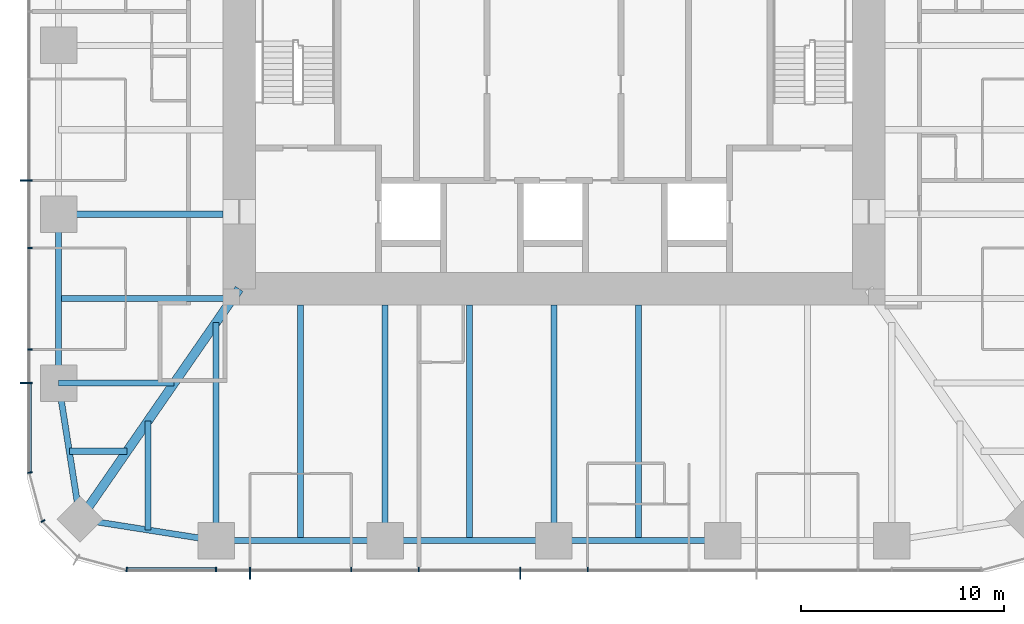
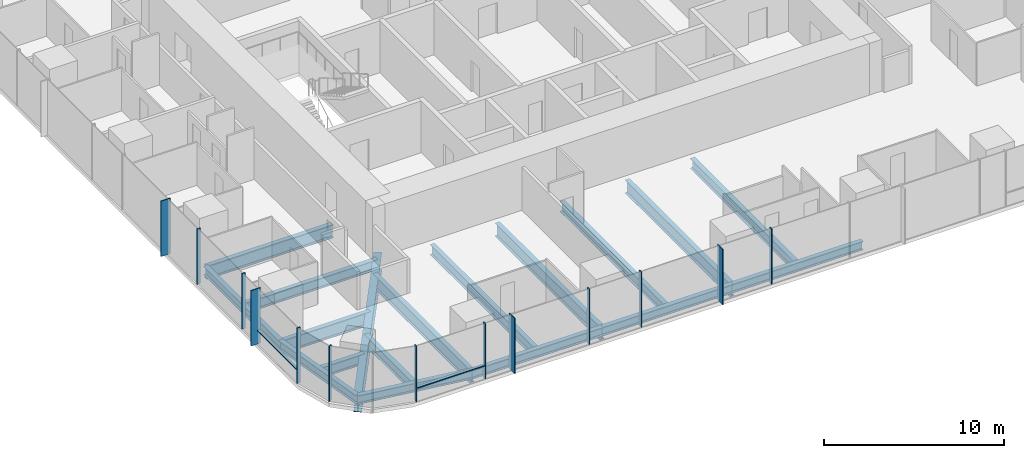
# One storey, part 2 of 12: 18 beams, 15 members, 3 elements without a shape of their own.
"""IFC4 building model written with IfcOpenShell, lengths in metres."""

from ifc_helpers import new_model, si_unit, direction, frame, origin, origin_2d, place, context, subcontext, project, spatial, rectangle, i_section, extrude, material, material_profile, profile_set, type_object, element, aggregate, save


model = new_model("IFC4")

# Units and contexts
model_context = context("Model", 3, precision=1e-05, world=origin(), true_north=direction((0.0, 1.0)))
body_context = subcontext(model_context, "Body", "Model", "MODEL_VIEW")
ifc_project = project(units=[si_unit("LENGTHUNIT", "METRE"), si_unit("AREAUNIT", "SQUARE_METRE"), si_unit("VOLUMEUNIT", "CUBIC_METRE"), si_unit("PLANEANGLEUNIT", "RADIAN"), si_unit("MASSUNIT", "GRAM", prefix="KILO")], contexts=[model_context])

# Site, building, storey
site_placement = place(None, origin())
site = spatial("IfcSite", under=ifc_project, at=site_placement, CompositionType="ELEMENT")
building_placement = place(site_placement, origin())
building = spatial("IfcBuilding", under=site, at=building_placement, Name="Khuree Lantern Residences", CompositionType="ELEMENT")
storey_placement = place(building_placement, frame((0.0, 0.0, 244.5)))
storey = spatial("IfcBuildingStorey", under=building, at=storey_placement, Name="L61", CompositionType="ELEMENT", Elevation=244.5)

# Beams
ifc_material_1 = material(Name="Steel S355", Category="steel")
ifc_material_profile_1 = material_profile(ifc_material_1, i_section(OverallWidth=0.300048828125, OverallDepth=0.68994140625, WebThickness=0.014404296875, FlangeThickness=0.027099609375, FilletRadius=0.027099609375, at=origin_2d()), Name="HE 700 A")
ifc_profile_set_1 = profile_set([ifc_material_profile_1], Name="Steel S355")
beam_type_1 = type_object("IfcBeamType", Name="B-34 SECONDARY BEAM HE 700 A", PredefinedType="BEAM", material=ifc_profile_set_1)
for number, where, z_axis, x_axis, name in (
    (1, (4.159912109375, -24.39990234375, -0.594970703125), (0.0, 1.0, 0.0), (-1.0, 0.0, 0.0), "Secondary beam S3"),
    (2, (-4.159912109375, -24.39990234375, -0.594970703125), (0.0, 1.0, 0.0), (-1.0, 0.0, 0.0), "Secondary beam S4"),
    (3, (-12.47998046875, -24.39990234375, -0.594970703125), (0.0, 1.0, 0.0), (-1.0, 0.0, 0.0), "Secondary beam S5"),
):
    element("IfcBeam", number, at=place(storey_placement, frame(where, z_axis=z_axis, x_axis=x_axis)), inside=storey, type_object=beam_type_1, Name=name, PredefinedType="BEAM", context=body_context, shape_type="SweptSolid", body=[
        extrude(i_section(OverallWidth=0.300048828125, OverallDepth=0.68994140625, WebThickness=0.014404296875, FlangeThickness=0.027099609375, FilletRadius=0.027099609375, at=origin_2d()), origin(), (0.0, 0.0, 1.0), 11.599853515625),
    ])
beam_1_placement = place(storey_placement, frame((-19.992919921875, -23.872802734375, -0.594970703125), z_axis=(0.0, 1.0, 0.0), x_axis=(-1.0, 0.0, 0.0)))
element("IfcBeam", 4, at=beam_1_placement, inside=storey, type_object=beam_type_1, Name="Secondary beam S6", PredefinedType="BEAM", context=body_context, shape_type="SweptSolid", body=[
    extrude(i_section(OverallWidth=0.300048828125, OverallDepth=0.68994140625, WebThickness=0.014404296875, FlangeThickness=0.027099609375, FilletRadius=0.027099609375, at=origin_2d()), origin(), (0.0, 0.0, 1.0), 5.375732421875),
])
beam_2_placement = place(storey_placement, frame((-23.872802734375, -19.992919921875, -0.594970703125), z_axis=(1.0, 0.0, 0.0), x_axis=(0.0, 1.0, 0.0)))
element("IfcBeam", 5, at=beam_2_placement, inside=storey, type_object=beam_type_1, Name="Secondary beam W1", PredefinedType="BEAM", context=body_context, shape_type="SweptSolid", body=[
    extrude(i_section(OverallWidth=0.300048828125, OverallDepth=0.68994140625, WebThickness=0.014404296875, FlangeThickness=0.027099609375, FilletRadius=0.027099609375, at=origin_2d()), origin(), (0.0, 0.0, 1.0), 2.845703125),
])
beam_3_placement = place(storey_placement, frame((-24.39990234375, -12.47998046875, -0.594970703125), z_axis=(1.0, 0.0, 0.0), x_axis=(0.0, 1.0, 0.0)))
element("IfcBeam", 6, at=beam_3_placement, inside=storey, type_object=beam_type_1, Name="Secondary beam W2", PredefinedType="BEAM", context=body_context, shape_type="SweptSolid", body=[
    extrude(i_section(OverallWidth=0.300048828125, OverallDepth=0.68994140625, WebThickness=0.014404296875, FlangeThickness=0.027099609375, FilletRadius=0.027099609375, at=origin_2d()), origin(), (0.0, 0.0, 1.0), 8.56787109375),
])
ifc_material_profile_2 = material_profile(ifc_material_1, i_section(OverallWidth=0.300048828125, OverallDepth=0.590087890625, WebThickness=0.012939453125, FlangeThickness=0.02490234375, FilletRadius=0.027099609375, at=origin_2d()), Name="HE 600 A")
ifc_profile_set_2 = profile_set([ifc_material_profile_2], Name="Steel S355")
beam_type_2 = type_object("IfcBeamType", Name="E-34 SPANDREL BEAM HE 600 A", PredefinedType="SPANDREL", material=ifc_profile_set_2)
for number, where, z_axis, x_axis, name in (
    (7, (8.320068359375, -24.39990234375, -0.544921875), (-1.0, 0.0, 0.0), (0.0, -1.0, 0.0), "Spandrel beam S3"),
    (8, (0.0, -24.39990234375, -0.544921875), (-1.0, 0.0, 0.0), (0.0, -1.0, 0.0), "Spandrel beam S4"),
):
    element("IfcBeam", number, at=place(storey_placement, frame(where, z_axis=z_axis, x_axis=x_axis)), inside=storey, type_object=beam_type_2, Name=name, PredefinedType="SPANDREL", context=body_context, shape_type="SweptSolid", body=[
        extrude(i_section(OverallWidth=0.300048828125, OverallDepth=0.590087890625, WebThickness=0.012939453125, FlangeThickness=0.02490234375, FilletRadius=0.027099609375, at=origin_2d()), origin(), (0.0, 0.0, 1.0), 8.320068359375),
    ])
beam_4_placement = place(storey_placement, frame((-8.320068359375, -24.39990234375, -0.544921875), z_axis=(-1.0, 0.0, 0.0), x_axis=(0.0, -1.0, 0.0)))
element("IfcBeam", 9, at=beam_4_placement, inside=storey, type_object=beam_type_2, Name="Spandrel beam S5", PredefinedType="SPANDREL", context=body_context, shape_type="SweptSolid", body=[
    extrude(i_section(OverallWidth=0.300048828125, OverallDepth=0.590087890625, WebThickness=0.012939453125, FlangeThickness=0.02490234375, FilletRadius=0.027099609375, at=origin_2d()), origin(), (0.0, 0.0, 1.0), 8.31982421875),
])
for number, where, z_axis, x_axis, name in (
    (10, (-16.639892578125, -24.39990234375, -0.544921875), (-0.98786743189, 0.155299507442, 0.0), (-0.155299507442, -0.98786743189, 0.0), "Spandrel beam S6"),
    (11, (-23.345703125, -23.345703125, -0.544921875), (-0.155299507442, 0.98786743189, 0.0), (-0.98786743189, -0.155299507442, 0.0), "Spandrel beam W1"),
):
    element("IfcBeam", number, at=place(storey_placement, frame(where, z_axis=z_axis, x_axis=x_axis)), inside=storey, type_object=beam_type_2, Name=name, PredefinedType="SPANDREL", context=body_context, shape_type="SweptSolid", body=[
        extrude(i_section(OverallWidth=0.300048828125, OverallDepth=0.590087890625, WebThickness=0.012939453125, FlangeThickness=0.02490234375, FilletRadius=0.027099609375, at=origin_2d()), origin(), (0.0, 0.0, 1.0), 6.7880859375),
    ])
beam_5_placement = place(storey_placement, frame((-24.39990234375, -16.639892578125, -0.544921875), z_axis=(0.0, 1.0, 0.0), x_axis=(-1.0, 0.0, 0.0)))
element("IfcBeam", 12, at=beam_5_placement, inside=storey, type_object=beam_type_2, Name="Spandrel beam W2", PredefinedType="SPANDREL", context=body_context, shape_type="SweptSolid", body=[
    extrude(i_section(OverallWidth=0.300048828125, OverallDepth=0.590087890625, WebThickness=0.012939453125, FlangeThickness=0.02490234375, FilletRadius=0.027099609375, at=origin_2d()), origin(), (0.0, 0.0, 1.0), 8.31982421875),
])

# Curtain wall, members
ifc_material_2 = material(Name="Bronze anodised aluminium", Category="aluminium")
curtain_wall_type_1 = type_object("IfcCurtainWallType", Name="CW-T1 TOWER FACE CURTAIN WALL", PredefinedType="USERDEFINED", material=ifc_material_2)
curtain_wall_1_placement = place(storey_placement, origin())
curtain_wall_1 = element("IfcCurtainWall", 13, at=curtain_wall_1_placement, inside=storey, type_object=curtain_wall_type_1, Name="L61 WEST FACE CURTAIN WALL", ObjectType="Stick-built curtain wall", PredefinedType="USERDEFINED")
ifc_material_profile_3 = material_profile(ifc_material_2, rectangle(XDim=0.06494140625, YDim=0.60009765625, at=origin_2d()), Name="F1 65X600")
ifc_profile_set_3 = profile_set([ifc_material_profile_3], Name="Bronze anodised aluminium")
member_type_1 = type_object("IfcMemberType", Name="F1 BRONZE FIN MULLION TOWER 65X600", PredefinedType="MULLION", material=ifc_profile_set_3)
member_1_placement = place(storey_placement, frame((-26.0, -6.656005859375, 0.0), z_axis=(0.0, 0.0, 1.0), x_axis=(0.0, -1.0, 0.0)))
member_1 = element("IfcMember", 14, at=member_1_placement, type_object=member_type_1, Name="L61 WEST FACE FIN MULLION 39", PredefinedType="MULLION", context=body_context, shape_type="SweptSolid", body=[
    extrude(rectangle(XDim=0.06494140625, YDim=0.60009765625, at=origin_2d()), origin(), (0.0, 0.0, 1.0), 3.75),
])
member_2_placement = place(storey_placement, frame((-26.0, -16.639892578125, 0.0), z_axis=(0.0, 0.0, 1.0), x_axis=(0.0, -1.0, 0.0)))
member_2 = element("IfcMember", 15, at=member_2_placement, type_object=member_type_1, Name="L61 WEST FACE FIN MULLION 42", PredefinedType="MULLION", context=body_context, shape_type="SweptSolid", body=[
    extrude(rectangle(XDim=0.06494140625, YDim=0.60009765625, at=origin_2d()), origin(), (0.0, 0.0, 1.0), 3.75),
])

curtain_wall_2_placement = place(storey_placement, origin())
curtain_wall_2 = element("IfcCurtainWall", 16, at=curtain_wall_2_placement, inside=storey, type_object=curtain_wall_type_1, Name="L61 SOUTH FACE CURTAIN WALL", ObjectType="Stick-built curtain wall", PredefinedType="USERDEFINED")
member_3_placement = place(storey_placement, frame((-14.97607421875, -26.0, 0.0), z_axis=(0.0, 0.0, 1.0), x_axis=(1.0, 0.0, 0.0)))
member_3 = element("IfcMember", 17, at=member_3_placement, type_object=member_type_1, Name="L61 SOUTH FACE FIN MULLION 48", PredefinedType="MULLION", context=body_context, shape_type="SweptSolid", body=[
    extrude(rectangle(XDim=0.06494140625, YDim=0.60009765625, at=origin_2d()), origin(), (0.0, 0.0, 1.0), 3.75),
])
member_4_placement = place(storey_placement, frame((-1.6640625, -26.0, 0.0), z_axis=(0.0, 0.0, 1.0), x_axis=(1.0, 0.0, 0.0)))
member_4 = element("IfcMember", 18, at=member_4_placement, type_object=member_type_1, Name="L61 SOUTH FACE FIN MULLION 51", PredefinedType="MULLION", context=body_context, shape_type="SweptSolid", body=[
    extrude(rectangle(XDim=0.06494140625, YDim=0.60009765625, at=origin_2d()), origin(), (0.0, 0.0, 1.0), 3.75),
])

# Beams
ifc_material_profile_4 = material_profile(ifc_material_1, i_section(OverallWidth=0.300048828125, OverallDepth=0.89990234375, WebThickness=0.0185546875, FlangeThickness=0.034912109375, FilletRadius=0.030029296875, at=origin_2d()), Name="HE 900 B")
ifc_profile_set_4 = profile_set([ifc_material_profile_4], Name="Steel S355")
beam_type_3 = type_object("IfcBeamType", Name="G-34 GIRDER HE 900 B", PredefinedType="BEAM", material=ifc_profile_set_4)
for number, where, z_axis, x_axis, name in (
    (19, (0.0, -24.39990234375, -0.699951171875), (0.0, 1.0, 0.0), (-1.0, 0.0, 0.0), "Girder S3"),
    (20, (-8.320068359375, -24.39990234375, -0.699951171875), (0.0, 1.0, 0.0), (-1.0, 0.0, 0.0), "Girder S4"),
):
    element("IfcBeam", number, at=place(storey_placement, frame(where, z_axis=z_axis, x_axis=x_axis)), inside=storey, type_object=beam_type_3, Name=name, PredefinedType="BEAM", context=body_context, shape_type="SweptSolid", body=[
        extrude(i_section(OverallWidth=0.300048828125, OverallDepth=0.89990234375, WebThickness=0.0185546875, FlangeThickness=0.034912109375, FilletRadius=0.030029296875, at=origin_2d()), origin(), (0.0, 0.0, 1.0), 11.599853515625),
    ])
beam_6_placement = place(storey_placement, frame((-16.639892578125, -24.39990234375, -0.699951171875), z_axis=(0.0, 1.0, 0.0), x_axis=(-1.0, 0.0, 0.0)))
element("IfcBeam", 21, at=beam_6_placement, inside=storey, type_object=beam_type_3, Name="Girder S5", PredefinedType="BEAM", context=body_context, shape_type="SweptSolid", body=[
    extrude(i_section(OverallWidth=0.300048828125, OverallDepth=0.89990234375, WebThickness=0.0185546875, FlangeThickness=0.034912109375, FilletRadius=0.030029296875, at=origin_2d()), origin(), (0.0, 0.0, 1.0), 10.751220703125),
])
beam_7_placement = place(storey_placement, frame((-24.39990234375, -16.639892578125, -0.699951171875), z_axis=(1.0, 0.0, 0.0), x_axis=(0.0, 1.0, 0.0)))
element("IfcBeam", 22, at=beam_7_placement, inside=storey, type_object=beam_type_3, Name="Girder W1", PredefinedType="BEAM", context=body_context, shape_type="SweptSolid", body=[
    extrude(i_section(OverallWidth=0.300048828125, OverallDepth=0.89990234375, WebThickness=0.0185546875, FlangeThickness=0.034912109375, FilletRadius=0.030029296875, at=origin_2d()), origin(), (0.0, 0.0, 1.0), 5.69140625),
])
beam_8_placement = place(storey_placement, frame((-24.39990234375, -8.320068359375, -0.699951171875), z_axis=(1.0, 0.0, 0.0), x_axis=(0.0, 1.0, 0.0)))
element("IfcBeam", 23, at=beam_8_placement, inside=storey, type_object=beam_type_3, Name="Girder W2", PredefinedType="BEAM", context=body_context, shape_type="SweptSolid", body=[
    extrude(i_section(OverallWidth=0.300048828125, OverallDepth=0.89990234375, WebThickness=0.0185546875, FlangeThickness=0.034912109375, FilletRadius=0.030029296875, at=origin_2d()), origin(), (0.0, 0.0, 1.0), 8.099853515625),
])
ifc_material_profile_5 = material_profile(ifc_material_1, i_section(OverallWidth=0.449951171875, OverallDepth=1.199951171875, WebThickness=0.02490234375, FlangeThickness=0.044921875, at=origin_2d()), Name="WELDED I 1200X450X25X45")
ifc_profile_set_5 = profile_set([ifc_material_profile_5], Name="Steel S355")
beam_type_4 = type_object("IfcBeamType", Name="GD-34 CORNER GIRDER WELDED I 1200X450X25X45", PredefinedType="BEAM", material=ifc_profile_set_5)
beam_9_placement = place(storey_placement, frame((-23.345703125, -23.345703125, -0.85009765625), z_axis=(0.56876813501, 0.822497907959, 0.0), x_axis=(-0.822497907959, 0.56876813501, 0.0)))
element("IfcBeam", 24, at=beam_9_placement, inside=storey, type_object=beam_type_4, Name="Corner girder SW", PredefinedType="BEAM", context=body_context, shape_type="SweptSolid", body=[
    extrude(i_section(OverallWidth=0.449951171875, OverallDepth=1.199951171875, WebThickness=0.02490234375, FlangeThickness=0.044921875, at=origin_2d()), origin(), (0.0, 0.0, 1.0), 13.794189453125),
])

# Member
ifc_material_profile_6 = material_profile(ifc_material_2, rectangle(XDim=0.06494140625, YDim=0.219970703125, at=origin_2d()), Name="M1 65X220")
ifc_profile_set_6 = profile_set([ifc_material_profile_6], Name="Bronze anodised aluminium")
member_type_2 = type_object("IfcMemberType", Name="M1 BRONZE MULLION TOWER 65X220", PredefinedType="MULLION", material=ifc_profile_set_6)
member_5_placement = place(storey_placement, frame((-25.81005859375, -9.98388671875, 0.0), z_axis=(0.0, 0.0, 1.0), x_axis=(0.0, -1.0, 0.0)))
member_5 = element("IfcMember", 25, at=member_5_placement, type_object=member_type_2, Name="L61 WEST FACE MULLION 40", PredefinedType="MULLION", context=body_context, shape_type="SweptSolid", body=[
    extrude(rectangle(XDim=0.06494140625, YDim=0.219970703125, at=origin_2d()), origin(), (0.0, 0.0, 1.0), 3.75),
])

member_6_placement = place(storey_placement, frame((-25.81005859375, -14.97607421875, 0.0), z_axis=(0.0, 0.0, 1.0), x_axis=(0.0, -1.0, 0.0)))
member_6 = element("IfcMember", 26, at=member_6_placement, type_object=member_type_2, Name="L61 WEST FACE MULLION 41", PredefinedType="MULLION", context=body_context, shape_type="SweptSolid", body=[
    extrude(rectangle(XDim=0.06494140625, YDim=0.219970703125, at=origin_2d()), origin(), (0.0, 0.0, 1.0), 3.75),
])

# Curtain wall, members
curtain_wall_type_2 = type_object("IfcCurtainWallType", Name="CW-T2 TOWER CORNER CURTAIN WALL", PredefinedType="USERDEFINED", material=ifc_material_2)
curtain_wall_3_placement = place(storey_placement, origin())
curtain_wall_3 = element("IfcCurtainWall", 27, at=curtain_wall_3_placement, inside=storey, type_object=curtain_wall_type_2, Name="L61 SOUTH-WEST CORNER CURTAIN WALL", ObjectType="Faceted corner curtain wall", PredefinedType="USERDEFINED")
member_7_placement = place(storey_placement, frame((-25.811767578125, -21.044921875, 0.0), z_axis=(0.0, 0.0, 1.0), x_axis=(0.130526180298, -0.991444862943, 0.0)))
member_7 = element("IfcMember", 28, at=member_7_placement, type_object=member_type_2, Name="L61 SOUTH-WEST CORNER MULLION 43", PredefinedType="MULLION", context=body_context, shape_type="SweptSolid", body=[
    extrude(rectangle(XDim=0.06494140625, YDim=0.219970703125, at=origin_2d()), origin(), (0.0, 0.0, 1.0), 3.75),
])
member_8_placement = place(storey_placement, frame((-25.17236328125, -23.429931640625, 0.0), z_axis=(0.0, 0.0, 1.0), x_axis=(0.499999989586, -0.866025409797, 0.0)))
member_8 = element("IfcMember", 29, at=member_8_placement, type_object=member_type_2, Name="L61 SOUTH-WEST CORNER MULLION 44", PredefinedType="MULLION", context=body_context, shape_type="SweptSolid", body=[
    extrude(rectangle(XDim=0.06494140625, YDim=0.219970703125, at=origin_2d()), origin(), (0.0, 0.0, 1.0), 3.75),
])
aggregate(curtain_wall_3, [member_7, member_8])

# Member
member_9_placement = place(storey_placement, frame((-21.044921875, -25.811767578125, 0.0), z_axis=(0.0, 0.0, 1.0), x_axis=(0.991444862943, -0.130526180298, 0.0)))
member_9 = element("IfcMember", 30, at=member_9_placement, type_object=member_type_2, Name="L61 SOUTH FACE MULLION 46", PredefinedType="MULLION", context=body_context, shape_type="SweptSolid", body=[
    extrude(rectangle(XDim=0.06494140625, YDim=0.219970703125, at=origin_2d()), origin(), (0.0, 0.0, 1.0), 3.75),
])

member_10_placement = place(storey_placement, frame((-16.639892578125, -25.81005859375, 0.0), z_axis=(0.0, 0.0, 1.0), x_axis=(1.0, 0.0, 0.0)))
member_10 = element("IfcMember", 31, at=member_10_placement, type_object=member_type_2, Name="L61 SOUTH FACE MULLION 47", PredefinedType="MULLION", context=body_context, shape_type="SweptSolid", body=[
    extrude(rectangle(XDim=0.06494140625, YDim=0.219970703125, at=origin_2d()), origin(), (0.0, 0.0, 1.0), 3.75),
])

member_11_placement = place(storey_placement, frame((-9.98388671875, -25.81005859375, 0.0), z_axis=(0.0, 0.0, 1.0), x_axis=(1.0, 0.0, 0.0)))
member_11 = element("IfcMember", 32, at=member_11_placement, type_object=member_type_2, Name="L61 SOUTH FACE MULLION 49", PredefinedType="MULLION", context=body_context, shape_type="SweptSolid", body=[
    extrude(rectangle(XDim=0.06494140625, YDim=0.219970703125, at=origin_2d()), origin(), (0.0, 0.0, 1.0), 3.75),
])

member_12_placement = place(storey_placement, frame((-6.656005859375, -25.81005859375, 0.0), z_axis=(0.0, 0.0, 1.0), x_axis=(1.0, 0.0, 0.0)))
member_12 = element("IfcMember", 33, at=member_12_placement, type_object=member_type_2, Name="L61 SOUTH FACE MULLION 50", PredefinedType="MULLION", context=body_context, shape_type="SweptSolid", body=[
    extrude(rectangle(XDim=0.06494140625, YDim=0.219970703125, at=origin_2d()), origin(), (0.0, 0.0, 1.0), 3.75),
])

member_13_placement = place(storey_placement, frame((1.6640625, -25.81005859375, 0.0), z_axis=(0.0, 0.0, 1.0), x_axis=(1.0, 0.0, 0.0)))
member_13 = element("IfcMember", 34, at=member_13_placement, type_object=member_type_2, Name="L61 SOUTH FACE MULLION 52", PredefinedType="MULLION", context=body_context, shape_type="SweptSolid", body=[
    extrude(rectangle(XDim=0.06494140625, YDim=0.219970703125, at=origin_2d()), origin(), (0.0, 0.0, 1.0), 3.75),
])

ifc_material_profile_7 = material_profile(ifc_material_2, rectangle(XDim=0.179931640625, YDim=0.06494140625, at=origin_2d()), Name="T1 180X65")
ifc_profile_set_7 = profile_set([ifc_material_profile_7], Name="Bronze anodised aluminium")
member_type_3 = type_object("IfcMemberType", Name="TRANSOM T1 TOWER 180X65", PredefinedType="USERDEFINED", material=ifc_profile_set_7)
member_14_placement = place(storey_placement, frame((-25.820068359375, -16.672607421875, 0.89990234375), z_axis=(0.0, -1.0, 0.0), x_axis=(1.0, 0.0, 0.0)))
member_14 = element("IfcMember", 35, at=member_14_placement, type_object=member_type_3, Name="L61 WEST FACE TRANSOM 42.1", ObjectType="Transom", PredefinedType="USERDEFINED", context=body_context, shape_type="SweptSolid", body=[
    extrude(rectangle(XDim=0.179931640625, YDim=0.06494140625, at=origin_2d()), origin(), (0.0, 0.0, 1.0), 4.328857421875),
])

aggregate(curtain_wall_1, [member_1, member_5, member_6, member_2, member_14])

member_15_placement = place(storey_placement, frame((-21.00146484375, -25.820068359375, 0.89990234375), z_axis=(1.0, 0.0, 0.0), x_axis=(0.0, 1.0, 0.0)))
member_15 = element("IfcMember", 36, at=member_15_placement, type_object=member_type_3, Name="L61 SOUTH FACE TRANSOM 46.1", ObjectType="Transom", PredefinedType="USERDEFINED", context=body_context, shape_type="SweptSolid", body=[
    extrude(rectangle(XDim=0.179931640625, YDim=0.06494140625, at=origin_2d()), origin(), (0.0, 0.0, 1.0), 4.328857421875),
])

aggregate(curtain_wall_2, [member_9, member_10, member_3, member_11, member_12, member_4, member_13, member_15])

save(model, "model.ifc")
